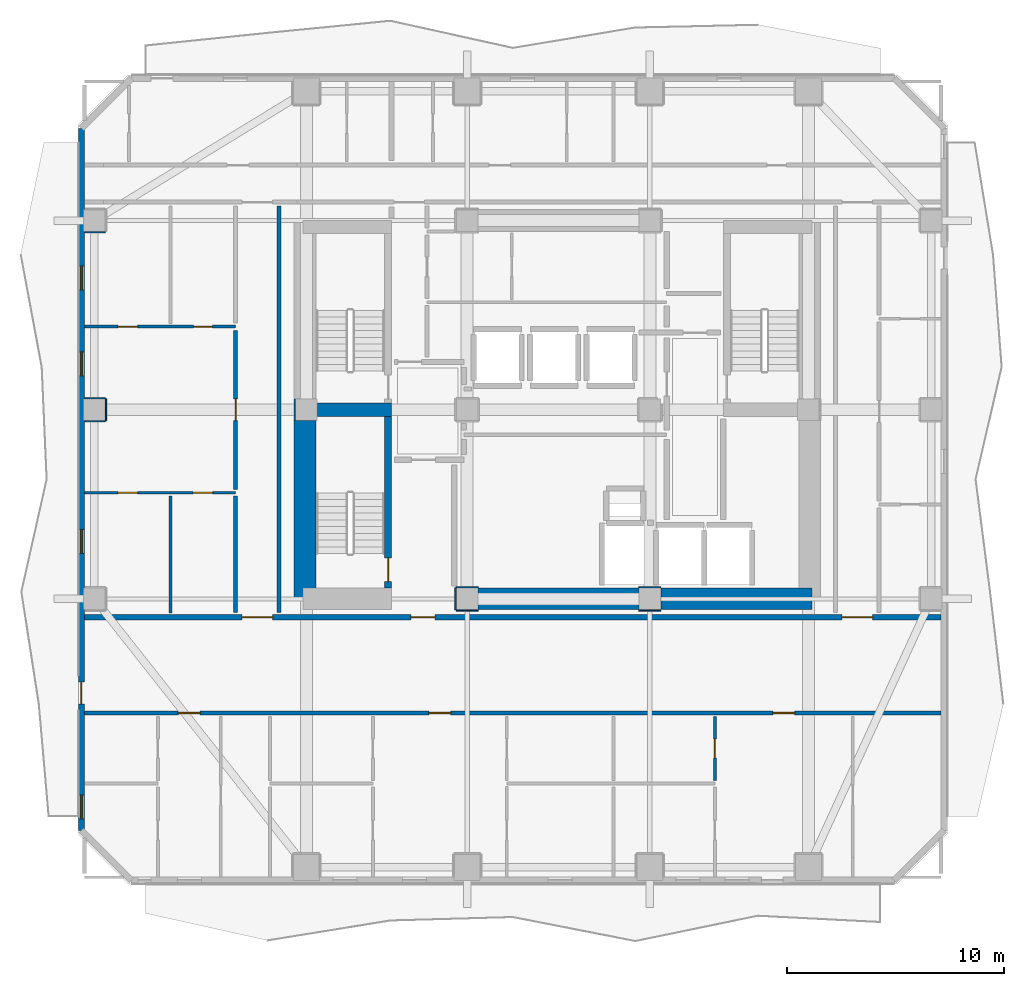
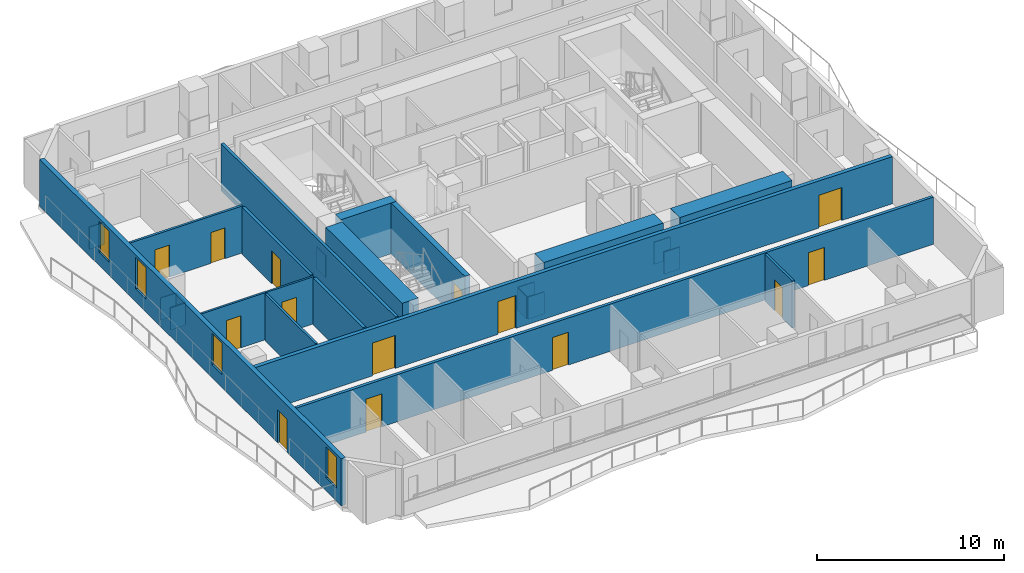
# One storey, part 3 of 11: 25 walls, 14 doors, 4 windows, 18 openings.
"""IFC4 building model written with IfcOpenShell, lengths in metres."""

from ifc_helpers import new_model, si_unit, direction, frame, frame_2d, origin, place, context, subcontext, project, spatial, rectangle, extrude, material, layer, layer_set, type_object, element, fill, save


model = new_model("IFC4")

# Units and contexts
model_context = context("Model", 3, precision=1e-05, world=origin(), true_north=direction((0.0, 1.0)))
body_context = subcontext(model_context, "Body", "Model", "MODEL_VIEW")
ifc_project = project(units=[si_unit("LENGTHUNIT", "METRE"), si_unit("AREAUNIT", "SQUARE_METRE"), si_unit("VOLUMEUNIT", "CUBIC_METRE"), si_unit("PLANEANGLEUNIT", "RADIAN"), si_unit("MASSUNIT", "GRAM", prefix="KILO")], contexts=[model_context])

# Site, building, storey
site_placement = place(None, origin())
site = spatial("IfcSite", under=ifc_project, at=site_placement, CompositionType="ELEMENT")
building_placement = place(site_placement, origin())
building = spatial("IfcBuilding", under=site, at=building_placement, Name="Solanera Arch Residences", CompositionType="ELEMENT")
storey_placement = place(building_placement, frame((0.0, 0.0, 116.0400390625)))
storey = spatial("IfcBuildingStorey", under=building, at=storey_placement, Name="L33", CompositionType="ELEMENT", Elevation=116.0400390625)

# Walls
ifc_material_1 = material(Name="Fire-Rated Gypsum Stud Partition", Category="gypsum")
ifc_layer_1 = layer(ifc_material_1, 0.06005859375)
ifc_layer_set_1 = layer_set([ifc_layer_1], Name="Fire-Rated Gypsum Stud Partition")
wall_type_1 = type_object("IfcWallType", Name="Column Acoustic Furring Wall 60", PredefinedType="PARTITIONING", material=ifc_layer_set_1)
for number, where, z_axis, x_axis, name in (
    (1, (20.300048828125, 21.468017578125, 0.0), (0.0, 0.0, 1.0), (1.0, 0.0, 0.0), "L33 Column Furring 1S"),
    (2, (20.300048828125, 22.531982421875, 0.0), (0.0, 0.0, 1.0), (1.0, 0.0, 0.0), "L33 Column Furring 1N"),
    (3, (20.26806640625, 21.5, 0.0), (0.0, 0.0, 1.0), (0.0, 1.0, 0.0), "L33 Column Furring 1W"),
    (4, (28.699951171875, 21.468017578125, 0.0), (0.0, 0.0, 1.0), (1.0, 0.0, 0.0), "L33 Column Furring 2S"),
    (5, (28.699951171875, 22.531982421875, 0.0), (0.0, 0.0, 1.0), (1.0, 0.0, 0.0), "L33 Column Furring 2N"),
):
    element("IfcWall", number, at=place(storey_placement, frame(where, z_axis=z_axis, x_axis=x_axis)), inside=storey, type_object=wall_type_1, Name=name, PredefinedType="PARTITIONING", context=body_context, shape_type="SweptSolid", body=[
        extrude(rectangle(XDim=1.0, YDim=0.06005859375, at=frame_2d((0.5, 0.0))), origin(), (0.0, 0.0, 1.0), 1.449951171875),
    ])
wall_1_placement = place(storey_placement, frame((12.867919921875, 30.2099609375, 0.0), z_axis=(0.0, 0.0, 1.0), x_axis=(0.0, 1.0, 0.0)))
element("IfcWall", 6, at=wall_1_placement, inside=storey, type_object=wall_type_1, Name="L33 Column Furring 5W", PredefinedType="PARTITIONING", context=body_context, shape_type="SweptSolid", body=[
    extrude(rectangle(XDim=0.97998046875, YDim=0.06005859375, at=frame_2d((0.489990234375, 0.0))), origin(), (0.0, 0.0, 1.0), 1.449951171875),
])
for number, where, z_axis, x_axis, name in (
    (7, (3.2099609375, 30.16796875, 0.0), (0.0, 0.0, 1.0), (1.0, 0.0, 0.0), "L33 Column Furring 19S"),
    (8, (3.2099609375, 31.23193359375, 0.0), (0.0, 0.0, 1.0), (1.0, 0.0, 0.0), "L33 Column Furring 19N"),
):
    element("IfcWall", number, at=place(storey_placement, frame(where, z_axis=z_axis, x_axis=x_axis)), inside=storey, type_object=wall_type_1, Name=name, PredefinedType="PARTITIONING", context=body_context, shape_type="SweptSolid", body=[
        extrude(rectangle(XDim=0.93994140625, YDim=0.06005859375, at=frame_2d((0.469970703125, 0.0))), origin(), (0.0, 0.0, 1.0), 1.449951171875),
    ])
wall_2_placement = place(storey_placement, frame((4.181884765625, 30.199951171875, 0.0), z_axis=(0.0, 0.0, 1.0), x_axis=(0.0, 1.0, 0.0)))
element("IfcWall", 9, at=wall_2_placement, inside=storey, type_object=wall_type_1, Name="L33 Column Furring 19E", PredefinedType="PARTITIONING", context=body_context, shape_type="SweptSolid", body=[
    extrude(rectangle(XDim=1.0, YDim=0.06005859375, at=frame_2d((0.5, 0.0))), origin(), (0.0, 0.0, 1.0), 1.449951171875),
])
wall_3_placement = place(storey_placement, frame((3.2099609375, 38.867919921875, 0.0), z_axis=(0.0, 0.0, 1.0), x_axis=(1.0, 0.0, 0.0)))
element("IfcWall", 10, at=wall_3_placement, inside=storey, type_object=wall_type_1, Name="L33 Column Furring 21S", PredefinedType="PARTITIONING", context=body_context, shape_type="SweptSolid", body=[
    extrude(rectangle(XDim=0.93994140625, YDim=0.06005859375, at=frame_2d((0.469970703125, 0.0))), origin(), (0.0, 0.0, 1.0), 1.449951171875),
])
ifc_material_2 = material(Name="Concrete C55/67 (f'c = 60 MPa)", Category="concrete")
ifc_layer_2 = layer(ifc_material_2, 1.0)
ifc_layer_set_2 = layer_set([ifc_layer_2], Name="Concrete C55/67 (f'c = 60 MPa)")
wall_type_2 = type_object("IfcWallType", Name="Core Shear Wall CW-1000", PredefinedType="SHEAR", material=ifc_layer_set_2)
wall_4_placement = place(storey_placement, frame((13.340087890625, 22.0, 0.0), z_axis=(0.0, 0.0, 1.0), x_axis=(0.0, 1.0, 0.0)))
element("IfcWall", 11, at=wall_4_placement, inside=storey, type_object=wall_type_2, Name="L33 West Core South Shear Wall", PredefinedType="SHEAR", context=body_context, shape_type="SweptSolid", body=[
    extrude(rectangle(XDim=8.195068359375, YDim=1.0, at=frame_2d((4.09765625, 0.0))), origin(), (0.0, 0.0, 1.0), 3.320068359375),
])
wall_5_placement = place(storey_placement, frame((29.705078125, 22.0, 0.0), z_axis=(0.0, 0.0, 1.0), x_axis=(1.0, 0.0, 0.0)))
element("IfcWall", 12, at=wall_5_placement, inside=storey, type_object=wall_type_2, Name="L33 South-East Core Shear Wall", PredefinedType="SHEAR", context=body_context, shape_type="SweptSolid", body=[
    extrude(rectangle(XDim=6.954833984375, YDim=1.0, at=frame_2d((3.4775390625, 0.0))), origin(), (0.0, 0.0, 1.0), 3.320068359375),
])
wall_6_placement = place(storey_placement, frame((21.304931640625, 22.0, 0.0), z_axis=(0.0, 0.0, 1.0), x_axis=(1.0, 0.0, 0.0)))
element("IfcWall", 13, at=wall_6_placement, inside=storey, type_object=wall_type_2, Name="L33 Central South Core Shear Wall", PredefinedType="SHEAR", context=body_context, shape_type="SweptSolid", body=[
    extrude(rectangle(XDim=7.39013671875, YDim=1.0, at=frame_2d((3.695068359375, 0.0))), origin(), (0.0, 0.0, 1.0), 3.320068359375),
])

# Wall, opening, door
ifc_material_3 = material(Name="Concrete C40/50 (f'c = 45 MPa)", Category="concrete")
ifc_layer_3 = layer(ifc_material_3, 0.320068359375)
ifc_layer_set_3 = layer_set([ifc_layer_3], Name="Concrete C40/50 (f'c = 45 MPa)")
wall_type_3 = type_object("IfcWallType", Name="Core Shear Wall CW-320", PredefinedType="SHEAR", material=ifc_layer_set_3)
wall_7_placement = place(storey_placement, frame((17.159912109375, 22.5, 0.0), z_axis=(0.0, 0.0, 1.0), x_axis=(0.0, 1.0, 0.0)))
wall_7 = element("IfcWall", 14, at=wall_7_placement, inside=storey, type_object=wall_type_3, Name="L33 Stair ST-T3 East Shear Wall", PredefinedType="SHEAR", context=body_context, shape_type="SweptSolid", body=[
    extrude(rectangle(XDim=7.89990234375, YDim=0.320068359375, at=frame_2d((3.949951171875, 0.0))), origin(), (0.0, 0.0, 1.0), 3.320068359375),
])
opening_1_placement = place(wall_7_placement, frame((0.2900390625, 0.0, 0.0)))
opening_1 = element("IfcOpeningElement", 15, at=opening_1_placement, cuts=wall_7, Name="Opening DF-01", PredefinedType="OPENING", context=body_context, shape_type="SweptSolid", body=[
    extrude(rectangle(XDim=1.10009765625, YDim=2.14990234375, at=frame_2d((0.550048828125, 1.074951171875))), frame((0.0, 0.169921875, 0.0), z_axis=(0.0, -1.0, 0.0), x_axis=(1.0, 0.0, 0.0)), (0.0, 0.0, 1.0), 0.3401),
])
ifc_material_4 = material(Name="Fire-Rated Architectural Hardwood", Category="wood")
door_type_1 = type_object("IfcDoorType", Name="Stair Exit Fire Door DF-01", OperationType="NOTDEFINED", PredefinedType="DOOR", material=ifc_material_4)
door_1_placement = place(opening_1_placement, origin())
door_1 = element("IfcDoor", 16, at=door_1_placement, inside=storey, type_object=door_type_1, Name="DR-L33-STAIR-ST-T3", OperationType="SINGLE_SWING_LEFT", OverallHeight=2.14990234375, OverallWidth=1.10009765625, PredefinedType="DOOR", context=body_context, shape_type="SweptSolid", body=[
    extrude(rectangle(XDim=1.10009765625, YDim=2.14990234375, at=frame_2d((0.550048828125, 1.074951171875))), frame((0.0, 0.02490234375, 0.0), z_axis=(0.0, -1.0, 0.0), x_axis=(1.0, 0.0, 0.0)), (0.0, 0.0, 1.0), 0.050048828125),
])
fill(opening_1, door_1)

# Wall
ifc_material_5 = material(Name="Concrete C40/50 (f'c = 45 MPa)", Category="concrete")
ifc_layer_4 = layer(ifc_material_5, 0.60009765625)
ifc_layer_set_4 = layer_set([ifc_layer_4], Name="Concrete C40/50 (f'c = 45 MPa)")
wall_type_4 = type_object("IfcWallType", Name="Core Shear Wall CW-600", PredefinedType="SHEAR", material=ifc_layer_set_4)
wall_8_placement = place(storey_placement, frame((13.905029296875, 30.699951171875, 0.0), z_axis=(0.0, 0.0, 1.0), x_axis=(1.0, 0.0, 0.0)))
element("IfcWall", 17, at=wall_8_placement, inside=storey, type_object=wall_type_4, Name="L33 West Stair Divider Shear Wall", PredefinedType="SHEAR", context=body_context, shape_type="SweptSolid", body=[
    extrude(rectangle(XDim=3.4150390625, YDim=0.60009765625, at=frame_2d((1.70751953125, 0.0))), origin(), (0.0, 0.0, 1.0), 3.320068359375),
])

# Wall, openings, doors
ifc_material_6 = material(Name="Autoclaved Aerated Concrete Blockwork", Category="masonry")
ifc_layer_5 = layer(ifc_material_6, 0.179931640625)
ifc_layer_set_5 = layer_set([ifc_layer_5], Name="Autoclaved Aerated Concrete Blockwork")
wall_type_5 = type_object("IfcWallType", Name="Corridor Fire Partition 180", PredefinedType="PARTITIONING", material=ifc_layer_set_5)
wall_9_placement = place(storey_placement, frame((3.20703125, 16.75, 0.0), z_axis=(0.0, 0.0, 1.0), x_axis=(1.0, 0.0, 0.0)))
wall_9 = element("IfcWall", 18, at=wall_9_placement, inside=storey, type_object=wall_type_5, Name="L33 Interior Partition H6", PredefinedType="PARTITIONING", context=body_context, shape_type="SweptSolid", body=[
    extrude(rectangle(XDim=39.385986328125, YDim=0.179931640625, at=frame_2d((19.69287109375, 0.0))), origin(), (0.0, 0.0, 1.0), 3.080078125),
])
opening_2_placement = place(wall_9_placement, frame((4.31103515625, 0.0, 0.0)))
opening_2 = element("IfcOpeningElement", 19, at=opening_2_placement, cuts=wall_9, Name="Opening DI-01", PredefinedType="OPENING", context=body_context, shape_type="SweptSolid", body=[
    extrude(rectangle(XDim=1.0, YDim=2.14990234375, at=frame_2d((0.5, 1.074951171875))), frame((0.0, 0.10009765625, 0.0), z_axis=(0.0, -1.0, 0.0), x_axis=(1.0, 0.0, 0.0)), (0.0, 0.0, 1.0), 0.1999),
])
opening_3_placement = place(wall_9_placement, frame((15.833984375, 0.0, 0.0)))
opening_3 = element("IfcOpeningElement", 20, at=opening_3_placement, cuts=wall_9, Name="Opening DI-01", PredefinedType="OPENING", context=body_context, shape_type="SweptSolid", body=[
    extrude(rectangle(XDim=1.0, YDim=2.14990234375, at=frame_2d((0.5, 1.074951171875))), frame((0.0, 0.10009765625, 0.0), z_axis=(0.0, -1.0, 0.0), x_axis=(1.0, 0.0, 0.0)), (0.0, 0.0, 1.0), 0.1999),
])
opening_4_placement = place(wall_9_placement, frame((31.654052734375, 0.0, 0.0)))
opening_4 = element("IfcOpeningElement", 21, at=opening_4_placement, cuts=wall_9, Name="Opening DI-01", PredefinedType="OPENING", context=body_context, shape_type="SweptSolid", body=[
    extrude(rectangle(XDim=1.0, YDim=2.14990234375, at=frame_2d((0.5, 1.074951171875))), frame((0.0, 0.10009765625, 0.0), z_axis=(0.0, -1.0, 0.0), x_axis=(1.0, 0.0, 0.0)), (0.0, 0.0, 1.0), 0.1999),
])
ifc_material_7 = material(Name="Fire-Rated Architectural Hardwood", Category="wood")
door_type_2 = type_object("IfcDoorType", Name="Unit Entrance Fire Door DI-01", OperationType="NOTDEFINED", PredefinedType="DOOR", material=ifc_material_7)
door_2_placement = place(opening_2_placement, origin())
door_2 = element("IfcDoor", 22, at=door_2_placement, inside=storey, type_object=door_type_2, Name="DR-L33-IN-016", OperationType="SINGLE_SWING_RIGHT", OverallHeight=2.14990234375, OverallWidth=1.0, PredefinedType="DOOR", context=body_context, shape_type="SweptSolid", body=[
    extrude(rectangle(XDim=1.0, YDim=2.14990234375, at=frame_2d((0.5, 1.074951171875))), frame((0.0, 0.02490234375, 0.0), z_axis=(0.0, -1.0, 0.0), x_axis=(1.0, 0.0, 0.0)), (0.0, 0.0, 1.0), 0.050048828125),
])
fill(opening_2, door_2)
door_3_placement = place(opening_3_placement, origin())
door_3 = element("IfcDoor", 23, at=door_3_placement, inside=storey, type_object=door_type_2, Name="DR-L33-IN-020", OperationType="SINGLE_SWING_RIGHT", OverallHeight=2.14990234375, OverallWidth=1.0, PredefinedType="DOOR", context=body_context, shape_type="SweptSolid", body=[
    extrude(rectangle(XDim=1.0, YDim=2.14990234375, at=frame_2d((0.5, 1.074951171875))), frame((0.0, 0.02490234375, 0.0), z_axis=(0.0, -1.0, 0.0), x_axis=(1.0, 0.0, 0.0)), (0.0, 0.0, 1.0), 0.050048828125),
])
fill(opening_3, door_3)
door_4_placement = place(opening_4_placement, origin())
door_4 = element("IfcDoor", 24, at=door_4_placement, inside=storey, type_object=door_type_2, Name="DR-L33-IN-025", OperationType="SINGLE_SWING_LEFT", OverallHeight=2.14990234375, OverallWidth=1.0, PredefinedType="DOOR", context=body_context, shape_type="SweptSolid", body=[
    extrude(rectangle(XDim=1.0, YDim=2.14990234375, at=frame_2d((0.5, 1.074951171875))), frame((0.0, 0.02490234375, 0.0), z_axis=(0.0, -1.0, 0.0), x_axis=(1.0, 0.0, 0.0)), (0.0, 0.0, 1.0), 0.050048828125),
])
fill(opening_4, door_4)

# Wall
wall_10_placement = place(storey_placement, frame((10.14990234375, 21.367919921875, 0.0), z_axis=(0.0, 0.0, 1.0), x_axis=(0.0, 1.0, 0.0)))
element("IfcWall", 25, at=wall_10_placement, inside=storey, type_object=wall_type_5, Name="L33 Interior Partition V8 1", PredefinedType="PARTITIONING", context=body_context, shape_type="SweptSolid", body=[
    extrude(rectangle(XDim=5.35400390625, YDim=0.179931640625, at=frame_2d((2.677001953125, 0.0))), origin(), (0.0, 0.0, 1.0), 3.080078125),
])

# Wall, opening, door
wall_11_placement = place(storey_placement, frame((10.14990234375, 27.0380859375, 0.0), z_axis=(0.0, 0.0, 1.0), x_axis=(0.0, 1.0, 0.0)))
wall_11 = element("IfcWall", 26, at=wall_11_placement, inside=storey, type_object=wall_type_5, Name="L33 Interior Partition V8 2", PredefinedType="PARTITIONING", context=body_context, shape_type="SweptSolid", body=[
    extrude(rectangle(XDim=7.31396484375, YDim=0.179931640625, at=frame_2d((3.656982421875, 0.0))), origin(), (0.0, 0.0, 1.0), 3.080078125),
])
opening_5_placement = place(wall_11_placement, frame((3.162109375, 0.0, 0.0)))
opening_5 = element("IfcOpeningElement", 27, at=opening_5_placement, cuts=wall_11, Name="Opening DI-01", PredefinedType="OPENING", context=body_context, shape_type="SweptSolid", body=[
    extrude(rectangle(XDim=1.0, YDim=2.14990234375, at=frame_2d((0.5, 1.074951171875))), frame((0.0, 0.10009765625, 0.0), z_axis=(0.0, -1.0, 0.0), x_axis=(1.0, 0.0, 0.0)), (0.0, 0.0, 1.0), 0.1999),
])
door_5_placement = place(opening_5_placement, origin())
door_5 = element("IfcDoor", 28, at=door_5_placement, inside=storey, type_object=door_type_2, Name="DR-L33-IN-036", OperationType="SINGLE_SWING_RIGHT", OverallHeight=2.14990234375, OverallWidth=1.0, PredefinedType="DOOR", context=body_context, shape_type="SweptSolid", body=[
    extrude(rectangle(XDim=1.0, YDim=2.14990234375, at=frame_2d((0.5, 1.074951171875))), frame((0.0, 0.02490234375, 0.0), z_axis=(0.0, -1.0, 0.0), x_axis=(1.0, 0.0, 0.0)), (0.0, 0.0, 1.0), 0.050048828125),
])
fill(opening_5, door_5)

# Wall
wall_12_placement = place(storey_placement, frame((12.14990234375, 21.367919921875, 0.0), z_axis=(0.0, 0.0, 1.0), x_axis=(0.0, 1.0, 0.0)))
element("IfcWall", 29, at=wall_12_placement, inside=storey, type_object=wall_type_5, Name="L33 Interior Partition V9", PredefinedType="PARTITIONING", context=body_context, shape_type="SweptSolid", body=[
    extrude(rectangle(XDim=18.694091796875, YDim=0.179931640625, at=frame_2d((9.34716796875, 0.0))), origin(), (0.0, 0.0, 1.0), 3.080078125),
])

# Wall, openings, door, windows
ifc_material_8 = material(Name="Precast Concrete C35/45", Category="concrete")
ifc_layer_6 = layer(ifc_material_8, 0.280029296875)
ifc_layer_set_6 = layer_set([ifc_layer_6], Name="Precast Concrete C35/45")
wall_type_6 = type_object("IfcWallType", Name="Exterior Wall Precast Masonry-Frame 280", PredefinedType="STANDARD", material=ifc_layer_set_6)
wall_13_placement = place(storey_placement, frame((3.054931640625, 11.35498046875, 0.0), z_axis=(0.0, 0.0, 1.0), x_axis=(0.0, 1.0, 0.0)))
wall_13 = element("IfcWall", 30, at=wall_13_placement, inside=storey, type_object=wall_type_6, Name="L33 Tower Exterior Precast Masonry-Frame Wall W", PredefinedType="STANDARD", context=body_context, shape_type="SweptSolid", body=[
    extrude(rectangle(XDim=32.2900390625, YDim=0.280029296875, at=frame_2d((16.14501953125, 0.0))), origin(), (0.0, 0.0, 1.0), 3.080078125),
])
opening_6_placement = place(wall_13_placement, frame((5.818115234375, 0.0, 0.0)))
opening_6 = element("IfcOpeningElement", 31, at=opening_6_placement, cuts=wall_13, Name="Opening DB-01", PredefinedType="OPENING", context=body_context, shape_type="SweptSolid", body=[
    extrude(rectangle(XDim=1.0, YDim=2.14990234375, at=frame_2d((0.5, 1.074951171875))), frame((0.0, 0.14990234375, 0.0), z_axis=(0.0, -1.0, 0.0), x_axis=(1.0, 0.0, 0.0)), (0.0, 0.0, 1.0), 0.3),
])
opening_7_placement = place(wall_13_placement, frame((0.52001953125, 0.0, 0.85009765625)))
opening_7 = element("IfcOpeningElement", 32, at=opening_7_placement, cuts=wall_13, Name="Opening W-11", PredefinedType="OPENING", context=body_context, shape_type="SweptSolid", body=[
    extrude(rectangle(XDim=1.10009765625, YDim=2.050048828125, at=frame_2d((0.550048828125, 1.02490234375))), frame((0.0, 0.14990234375, 0.0), z_axis=(0.0, -1.0, 0.0), x_axis=(1.0, 0.0, 0.0)), (0.0, 0.0, 1.0), 0.3),
])
opening_8_placement = place(wall_13_placement, frame((20.905029296875, 0.0, 0.85009765625)))
opening_8 = element("IfcOpeningElement", 33, at=opening_8_placement, cuts=wall_13, Name="Opening W-11", PredefinedType="OPENING", context=body_context, shape_type="SweptSolid", body=[
    extrude(rectangle(XDim=1.10009765625, YDim=2.050048828125, at=frame_2d((0.550048828125, 1.02490234375))), frame((0.0, 0.14990234375, 0.0), z_axis=(0.0, -1.0, 0.0), x_axis=(1.0, 0.0, 0.0)), (0.0, 0.0, 1.0), 0.3),
])
opening_9_placement = place(wall_13_placement, frame((12.735107421875, 0.0, 0.85009765625)))
opening_9 = element("IfcOpeningElement", 34, at=opening_9_placement, cuts=wall_13, Name="Opening W-11", PredefinedType="OPENING", context=body_context, shape_type="SweptSolid", body=[
    extrude(rectangle(XDim=1.10009765625, YDim=2.050048828125, at=frame_2d((0.550048828125, 1.02490234375))), frame((0.0, 0.14990234375, 0.0), z_axis=(0.0, -1.0, 0.0), x_axis=(1.0, 0.0, 0.0)), (0.0, 0.0, 1.0), 0.3),
])
opening_10_placement = place(wall_13_placement, frame((24.85498046875, 0.0, 0.85009765625)))
opening_10 = element("IfcOpeningElement", 35, at=opening_10_placement, cuts=wall_13, Name="Opening W-11", PredefinedType="OPENING", context=body_context, shape_type="SweptSolid", body=[
    extrude(rectangle(XDim=1.10009765625, YDim=2.050048828125, at=frame_2d((0.550048828125, 1.02490234375))), frame((0.0, 0.14990234375, 0.0), z_axis=(0.0, -1.0, 0.0), x_axis=(1.0, 0.0, 0.0)), (0.0, 0.0, 1.0), 0.3),
])
ifc_material_9 = material(Name="Anodised Aluminium Alloy 6063-T6", Category="aluminium")
door_type_3 = type_object("IfcDoorType", Name="Glazed Balcony Swing Door DB-01", OperationType="NOTDEFINED", PredefinedType="DOOR", material=ifc_material_9)
door_6_placement = place(opening_6_placement, origin())
door_6 = element("IfcDoor", 36, at=door_6_placement, inside=storey, type_object=door_type_3, Name="DR-L33-OUT-04", OperationType="SINGLE_SWING_RIGHT", OverallHeight=2.14990234375, OverallWidth=1.0, PredefinedType="DOOR", context=body_context, shape_type="SweptSolid", body=[
    extrude(rectangle(XDim=1.0, YDim=2.14990234375, at=frame_2d((0.5, 1.074951171875))), frame((0.0, 0.02490234375, 0.0), z_axis=(0.0, -1.0, 0.0), x_axis=(1.0, 0.0, 0.0)), (0.0, 0.0, 1.0), 0.050048828125),
])
fill(opening_6, door_6)
ifc_material_10 = material(Name="Double Glazed Low-E Laminated Glass", Category="glass")
window_type = type_object("IfcWindowType", Name="Punched Window W-11", PartitioningType="SINGLE_PANEL", PredefinedType="WINDOW", material=ifc_material_10)
window_1_placement = place(opening_7_placement, origin())
window_1 = element("IfcWindow", 37, at=window_1_placement, inside=storey, type_object=window_type, Name="L33 3301-BR1 Punched Window", OverallHeight=2.050048828125, OverallWidth=1.10009765625, PartitioningType="SINGLE_PANEL", PredefinedType="WINDOW", context=body_context, shape_type="SweptSolid", body=[
    extrude(rectangle(XDim=1.10009765625, YDim=2.050048828125, at=frame_2d((0.550048828125, 1.02490234375))), frame((0.0, 0.030029296875, 0.0), z_axis=(0.0, -1.0, 0.0), x_axis=(1.0, 0.0, 0.0)), (0.0, 0.0, 1.0), 0.06005859375),
])
fill(opening_7, window_1)
window_2_placement = place(opening_8_placement, origin())
window_2 = element("IfcWindow", 38, at=window_2_placement, inside=storey, type_object=window_type, Name="L33 3306-LIV Punched Window", OverallHeight=2.050048828125, OverallWidth=1.10009765625, PartitioningType="SINGLE_PANEL", PredefinedType="WINDOW", context=body_context, shape_type="SweptSolid", body=[
    extrude(rectangle(XDim=1.10009765625, YDim=2.050048828125, at=frame_2d((0.550048828125, 1.02490234375))), frame((0.0, 0.030029296875, 0.0), z_axis=(0.0, -1.0, 0.0), x_axis=(1.0, 0.0, 0.0)), (0.0, 0.0, 1.0), 0.06005859375),
])
fill(opening_8, window_2)
window_3_placement = place(opening_9_placement, origin())
window_3 = element("IfcWindow", 39, at=window_3_placement, inside=storey, type_object=window_type, Name="L33 3306-BR2 Punched Window", OverallHeight=2.050048828125, OverallWidth=1.10009765625, PartitioningType="SINGLE_PANEL", PredefinedType="WINDOW", context=body_context, shape_type="SweptSolid", body=[
    extrude(rectangle(XDim=1.10009765625, YDim=2.050048828125, at=frame_2d((0.550048828125, 1.02490234375))), frame((0.0, 0.030029296875, 0.0), z_axis=(0.0, -1.0, 0.0), x_axis=(1.0, 0.0, 0.0)), (0.0, 0.0, 1.0), 0.06005859375),
])
fill(opening_9, window_3)
window_4_placement = place(opening_10_placement, origin())
window_4 = element("IfcWindow", 40, at=window_4_placement, inside=storey, type_object=window_type, Name="L33 3306-BR1 Punched Window", OverallHeight=2.050048828125, OverallWidth=1.10009765625, PartitioningType="SINGLE_PANEL", PredefinedType="WINDOW", context=body_context, shape_type="SweptSolid", body=[
    extrude(rectangle(XDim=1.10009765625, YDim=2.050048828125, at=frame_2d((0.550048828125, 1.02490234375))), frame((0.0, 0.030029296875, 0.0), z_axis=(0.0, -1.0, 0.0), x_axis=(1.0, 0.0, 0.0)), (0.0, 0.0, 1.0), 0.06005859375),
])
fill(opening_10, window_4)

# Wall, openings, doors
ifc_material_11 = material(Name="Autoclaved Aerated Concrete Blockwork", Category="masonry")
ifc_layer_7 = layer(ifc_material_11, 0.239990234375)
ifc_layer_set_7 = layer_set([ifc_layer_7], Name="Autoclaved Aerated Concrete Blockwork")
wall_type_7 = type_object("IfcWallType", Name="Shaft Wall Fire-Rated 240", PredefinedType="PARTITIONING", material=ifc_layer_set_7)
wall_14_placement = place(storey_placement, frame((3.20703125, 21.14990234375, 0.0), z_axis=(0.0, 0.0, 1.0), x_axis=(1.0, 0.0, 0.0)))
wall_14 = element("IfcWall", 41, at=wall_14_placement, inside=storey, type_object=wall_type_7, Name="L33 Interior Partition H1", PredefinedType="PARTITIONING", context=body_context, shape_type="SweptSolid", body=[
    extrude(rectangle(XDim=39.385986328125, YDim=0.239990234375, at=frame_2d((19.69287109375, 0.0))), origin(), (0.0, 0.0, 1.0), 3.080078125),
])
opening_11_placement = place(wall_14_placement, frame((15.0029296875, 0.0, 0.0)))
opening_11 = element("IfcOpeningElement", 42, at=opening_11_placement, cuts=wall_14, Name="Opening DF-02", PredefinedType="OPENING", context=body_context, shape_type="SweptSolid", body=[
    extrude(rectangle(XDim=1.10009765625, YDim=2.14990234375, at=frame_2d((0.550048828125, 1.074951171875))), frame((0.0, 0.1298828125, 0.0), z_axis=(0.0, -1.0, 0.0), x_axis=(1.0, 0.0, 0.0)), (0.0, 0.0, 1.0), 0.26),
])
opening_12_placement = place(wall_14_placement, frame((7.242919921875, 0.0, 0.0)))
opening_12 = element("IfcOpeningElement", 43, at=opening_12_placement, cuts=wall_14, Name="Opening DF-03", PredefinedType="OPENING", context=body_context, shape_type="SweptSolid", body=[
    extrude(rectangle(XDim=1.39990234375, YDim=2.14990234375, at=frame_2d((0.699951171875, 1.074951171875))), frame((0.0, 0.1298828125, 0.0), z_axis=(0.0, -1.0, 0.0), x_axis=(1.0, 0.0, 0.0)), (0.0, 0.0, 1.0), 0.26),
])
opening_13_placement = place(wall_14_placement, frame((34.843017578125, 0.0, 0.0)))
opening_13 = element("IfcOpeningElement", 44, at=opening_13_placement, cuts=wall_14, Name="Opening DF-03", PredefinedType="OPENING", context=body_context, shape_type="SweptSolid", body=[
    extrude(rectangle(XDim=1.39990234375, YDim=2.14990234375, at=frame_2d((0.699951171875, 1.074951171875))), frame((0.0, 0.1298828125, 0.0), z_axis=(0.0, -1.0, 0.0), x_axis=(1.0, 0.0, 0.0)), (0.0, 0.0, 1.0), 0.26),
])
ifc_material_12 = material(Name="Fire-Rated Architectural Hardwood", Category="wood")
door_type_4 = type_object("IfcDoorType", Name="Corridor Smoke Door DF-03", OperationType="NOTDEFINED", PredefinedType="DOOR", material=ifc_material_12)
door_7_placement = place(opening_12_placement, origin())
door_7 = element("IfcDoor", 45, at=door_7_placement, inside=storey, type_object=door_type_4, Name="DR-L33-IN-010", OperationType="SINGLE_SWING_RIGHT", OverallHeight=2.14990234375, OverallWidth=1.39990234375, PredefinedType="DOOR", context=body_context, shape_type="SweptSolid", body=[
    extrude(rectangle(XDim=1.39990234375, YDim=2.14990234375, at=frame_2d((0.699951171875, 1.074951171875))), frame((0.0, 0.02490234375, 0.0), z_axis=(0.0, -1.0, 0.0), x_axis=(1.0, 0.0, 0.0)), (0.0, 0.0, 1.0), 0.050048828125),
])
fill(opening_12, door_7)
door_8_placement = place(opening_13_placement, origin())
door_8 = element("IfcDoor", 46, at=door_8_placement, inside=storey, type_object=door_type_4, Name="DR-L33-IN-011", OperationType="SINGLE_SWING_LEFT", OverallHeight=2.14990234375, OverallWidth=1.39990234375, PredefinedType="DOOR", context=body_context, shape_type="SweptSolid", body=[
    extrude(rectangle(XDim=1.39990234375, YDim=2.14990234375, at=frame_2d((0.699951171875, 1.074951171875))), frame((0.0, 0.02490234375, 0.0), z_axis=(0.0, -1.0, 0.0), x_axis=(1.0, 0.0, 0.0)), (0.0, 0.0, 1.0), 0.050048828125),
])
fill(opening_13, door_8)
ifc_material_13 = material(Name="Fire-Rated Architectural Hardwood", Category="wood")
door_type_5 = type_object("IfcDoorType", Name="Firefighting Lobby Fire Door DF-02", OperationType="NOTDEFINED", PredefinedType="DOOR", material=ifc_material_13)
door_9_placement = place(opening_11_placement, origin())
door_9 = element("IfcDoor", 47, at=door_9_placement, inside=storey, type_object=door_type_5, Name="DR-L33-IN-008", OperationType="SINGLE_SWING_RIGHT", OverallHeight=2.14990234375, OverallWidth=1.10009765625, PredefinedType="DOOR", context=body_context, shape_type="SweptSolid", body=[
    extrude(rectangle(XDim=1.10009765625, YDim=2.14990234375, at=frame_2d((0.550048828125, 1.074951171875))), frame((0.0, 0.02490234375, 0.0), z_axis=(0.0, -1.0, 0.0), x_axis=(1.0, 0.0, 0.0)), (0.0, 0.0, 1.0), 0.050048828125),
])
fill(opening_11, door_9)

ifc_material_14 = material(Name="Fire-Rated Gypsum Stud Partition", Category="gypsum")
ifc_layer_8 = layer(ifc_material_14, 0.1201171875)
ifc_layer_set_8 = layer_set([ifc_layer_8], Name="Fire-Rated Gypsum Stud Partition")
wall_type_8 = type_object("IfcWallType", Name="Unit Drywall Partition 120", PredefinedType="PARTITIONING", material=ifc_layer_set_8)
wall_15_placement = place(storey_placement, frame((3.20703125, 26.8798828125, 0.0), z_axis=(0.0, 0.0, 1.0), x_axis=(1.0, 0.0, 0.0)))
wall_15 = element("IfcWall", 48, at=wall_15_placement, inside=storey, type_object=wall_type_8, Name="L33 Interior Partition H19", PredefinedType="PARTITIONING", context=body_context, shape_type="SweptSolid", body=[
    extrude(rectangle(XDim=6.94287109375, YDim=0.1201171875, at=frame_2d((3.471435546875, 0.0))), origin(), (0.0, 0.0, 1.0), 3.080078125),
])
opening_14_placement = place(wall_15_placement, frame((4.986083984375, 0.0, 0.0)))
opening_14 = element("IfcOpeningElement", 49, at=opening_14_placement, cuts=wall_15, Name="Opening DI-02", PredefinedType="OPENING", context=body_context, shape_type="SweptSolid", body=[
    extrude(rectangle(XDim=0.89990234375, YDim=2.10009765625, at=frame_2d((0.449951171875, 1.050048828125))), frame((0.0, 0.070068359375, 0.0), z_axis=(0.0, -1.0, 0.0), x_axis=(1.0, 0.0, 0.0)), (0.0, 0.0, 1.0), 0.1401),
])
opening_15_placement = place(wall_15_placement, frame((1.537109375, 0.0, 0.0)))
opening_15 = element("IfcOpeningElement", 50, at=opening_15_placement, cuts=wall_15, Name="Opening DI-03", PredefinedType="OPENING", context=body_context, shape_type="SweptSolid", body=[
    extrude(rectangle(XDim=0.89990234375, YDim=2.10009765625, at=frame_2d((0.449951171875, 1.050048828125))), frame((0.0, 0.070068359375, 0.0), z_axis=(0.0, -1.0, 0.0), x_axis=(1.0, 0.0, 0.0)), (0.0, 0.0, 1.0), 0.1401),
])
ifc_material_15 = material(Name="Fire-Rated Architectural Hardwood", Category="wood")
door_type_6 = type_object("IfcDoorType", Name="Bedroom Swing Door DI-03", OperationType="NOTDEFINED", PredefinedType="DOOR", material=ifc_material_15)
door_10_placement = place(opening_15_placement, origin())
door_10 = element("IfcDoor", 51, at=door_10_placement, inside=storey, type_object=door_type_6, Name="DR-L33-IN-038", OperationType="SINGLE_SWING_RIGHT", OverallHeight=2.10009765625, OverallWidth=0.89990234375, PredefinedType="DOOR", context=body_context, shape_type="SweptSolid", body=[
    extrude(rectangle(XDim=0.89990234375, YDim=2.10009765625, at=frame_2d((0.449951171875, 1.050048828125))), frame((0.0, 0.02490234375, 0.0), z_axis=(0.0, -1.0, 0.0), x_axis=(1.0, 0.0, 0.0)), (0.0, 0.0, 1.0), 0.050048828125),
])
fill(opening_15, door_10)
ifc_material_16 = material(Name="Fire-Rated Architectural Hardwood", Category="wood")
door_type_7 = type_object("IfcDoorType", Name="Suite Room Swing Door DI-02", OperationType="NOTDEFINED", PredefinedType="DOOR", material=ifc_material_16)
door_11_placement = place(opening_14_placement, origin())
door_11 = element("IfcDoor", 52, at=door_11_placement, inside=storey, type_object=door_type_7, Name="DR-L33-IN-037", OperationType="SINGLE_SWING_LEFT", OverallHeight=2.10009765625, OverallWidth=0.89990234375, PredefinedType="DOOR", context=body_context, shape_type="SweptSolid", body=[
    extrude(rectangle(XDim=0.89990234375, YDim=2.10009765625, at=frame_2d((0.449951171875, 1.050048828125))), frame((0.0, 0.02490234375, 0.0), z_axis=(0.0, -1.0, 0.0), x_axis=(1.0, 0.0, 0.0)), (0.0, 0.0, 1.0), 0.050048828125),
])
fill(opening_14, door_11)

ifc_material_17 = material(Name="Autoclaved Aerated Concrete Blockwork", Category="masonry")
ifc_layer_9 = layer(ifc_material_17, 0.139892578125)
ifc_layer_set_9 = layer_set([ifc_layer_9], Name="Autoclaved Aerated Concrete Blockwork")
wall_type_9 = type_object("IfcWallType", Name="Wet-Room Partition 140", PredefinedType="PARTITIONING", material=ifc_layer_set_9)
wall_16_placement = place(storey_placement, frame((3.20703125, 34.52001953125, 0.0), z_axis=(0.0, 0.0, 1.0), x_axis=(1.0, 0.0, 0.0)))
wall_16 = element("IfcWall", 53, at=wall_16_placement, inside=storey, type_object=wall_type_9, Name="L33 Interior Partition H16", PredefinedType="PARTITIONING", context=body_context, shape_type="SweptSolid", body=[
    extrude(rectangle(XDim=6.94287109375, YDim=0.139892578125, at=frame_2d((3.471435546875, 0.0))), origin(), (0.0, 0.0, 1.0), 3.080078125),
])
opening_16_placement = place(wall_16_placement, frame((5.006103515625, 0.0, 0.0)))
opening_16 = element("IfcOpeningElement", 54, at=opening_16_placement, cuts=wall_16, Name="Opening DI-05", PredefinedType="OPENING", context=body_context, shape_type="SweptSolid", body=[
    extrude(rectangle(XDim=0.860107421875, YDim=2.02001953125, at=frame_2d((0.43017578125, 1.010009765625))), frame((0.0, 0.079833984375, 0.0), z_axis=(0.0, -1.0, 0.0), x_axis=(1.0, 0.0, 0.0)), (0.0, 0.0, 1.0), 0.1599),
])
opening_17_placement = place(wall_16_placement, frame((1.537109375, 0.0, 0.0)))
opening_17 = element("IfcOpeningElement", 55, at=opening_17_placement, cuts=wall_16, Name="Opening DI-03", PredefinedType="OPENING", context=body_context, shape_type="SweptSolid", body=[
    extrude(rectangle(XDim=0.89990234375, YDim=2.10009765625, at=frame_2d((0.449951171875, 1.050048828125))), frame((0.0, 0.079833984375, 0.0), z_axis=(0.0, -1.0, 0.0), x_axis=(1.0, 0.0, 0.0)), (0.0, 0.0, 1.0), 0.1599),
])
ifc_material_18 = material(Name="Fire-Rated Architectural Hardwood", Category="wood")
door_type_8 = type_object("IfcDoorType", Name="Bathroom Swing Door DI-05", OperationType="NOTDEFINED", PredefinedType="DOOR", material=ifc_material_18)
door_12_placement = place(opening_16_placement, origin())
door_12 = element("IfcDoor", 56, at=door_12_placement, inside=storey, type_object=door_type_8, Name="DR-L33-IN-039", OperationType="SINGLE_SWING_LEFT", OverallHeight=2.02001953125, OverallWidth=0.860107421875, PredefinedType="DOOR", context=body_context, shape_type="SweptSolid", body=[
    extrude(rectangle(XDim=0.860107421875, YDim=2.02001953125, at=frame_2d((0.43017578125, 1.010009765625))), frame((0.0, 0.02490234375, 0.0), z_axis=(0.0, -1.0, 0.0), x_axis=(1.0, 0.0, 0.0)), (0.0, 0.0, 1.0), 0.050048828125),
])
fill(opening_16, door_12)
door_13_placement = place(opening_17_placement, origin())
door_13 = element("IfcDoor", 57, at=door_13_placement, inside=storey, type_object=door_type_6, Name="DR-L33-IN-040", OperationType="SINGLE_SWING_RIGHT", OverallHeight=2.10009765625, OverallWidth=0.89990234375, PredefinedType="DOOR", context=body_context, shape_type="SweptSolid", body=[
    extrude(rectangle(XDim=0.89990234375, YDim=2.10009765625, at=frame_2d((0.449951171875, 1.050048828125))), frame((0.0, 0.02490234375, 0.0), z_axis=(0.0, -1.0, 0.0), x_axis=(1.0, 0.0, 0.0)), (0.0, 0.0, 1.0), 0.050048828125),
])
fill(opening_17, door_13)

# Wall
wall_17_placement = place(storey_placement, frame((7.162109375, 21.347900390625, 0.0), z_axis=(0.0, 0.0, 1.0), x_axis=(0.0, 1.0, 0.0)))
element("IfcWall", 58, at=wall_17_placement, inside=storey, type_object=wall_type_9, Name="L33 Interior Partition V17", PredefinedType="PARTITIONING", context=body_context, shape_type="SweptSolid", body=[
    extrude(rectangle(XDim=5.39404296875, YDim=0.139892578125, at=frame_2d((2.697021484375, 0.0))), origin(), (0.0, 0.0, 1.0), 3.080078125),
])

# Wall, opening, door
wall_18_placement = place(storey_placement, frame((32.195068359375, 13.652099609375, 0.0), z_axis=(0.0, 0.0, 1.0), x_axis=(0.0, 1.0, 0.0)))
wall_18 = element("IfcWall", 59, at=wall_18_placement, inside=storey, type_object=wall_type_9, Name="L33 Interior Partition V24 2", PredefinedType="PARTITIONING", context=body_context, shape_type="SweptSolid", body=[
    extrude(rectangle(XDim=2.929931640625, YDim=0.139892578125, at=frame_2d((1.46484375, 0.0))), origin(), (0.0, 0.0, 1.0), 3.080078125),
])
opening_18_placement = place(wall_18_placement, frame((1.031982421875, 0.0, 0.0)))
opening_18 = element("IfcOpeningElement", 60, at=opening_18_placement, cuts=wall_18, Name="Opening DI-05", PredefinedType="OPENING", context=body_context, shape_type="SweptSolid", body=[
    extrude(rectangle(XDim=0.860107421875, YDim=2.02001953125, at=frame_2d((0.43017578125, 1.010009765625))), frame((0.0, 0.079833984375, 0.0), z_axis=(0.0, -1.0, 0.0), x_axis=(1.0, 0.0, 0.0)), (0.0, 0.0, 1.0), 0.1599),
])
door_14_placement = place(opening_18_placement, origin())
door_14 = element("IfcDoor", 61, at=door_14_placement, inside=storey, type_object=door_type_8, Name="DR-L33-IN-026", OperationType="SINGLE_SWING_RIGHT", OverallHeight=2.02001953125, OverallWidth=0.860107421875, PredefinedType="DOOR", context=body_context, shape_type="SweptSolid", body=[
    extrude(rectangle(XDim=0.860107421875, YDim=2.02001953125, at=frame_2d((0.43017578125, 1.010009765625))), frame((0.0, 0.02490234375, 0.0), z_axis=(0.0, -1.0, 0.0), x_axis=(1.0, 0.0, 0.0)), (0.0, 0.0, 1.0), 0.050048828125),
])
fill(opening_18, door_14)

save(model, "model.ifc")
